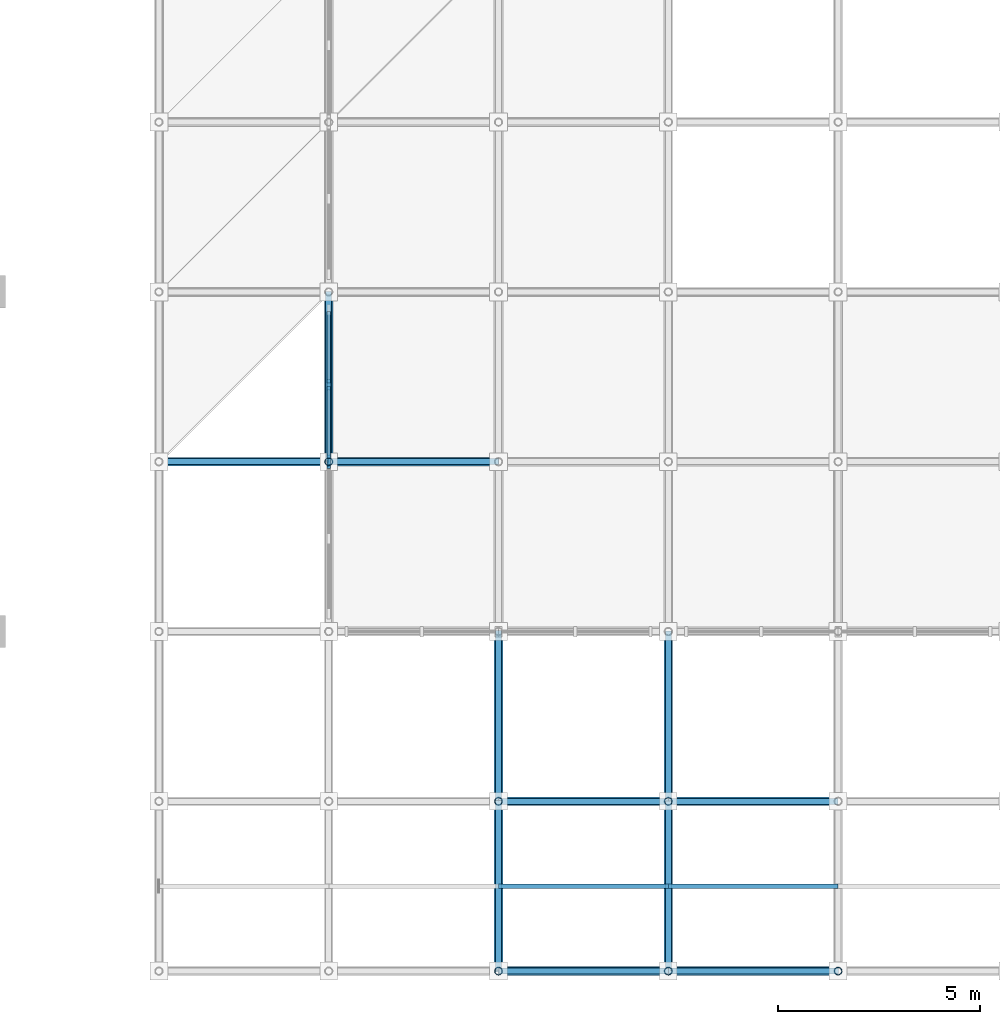
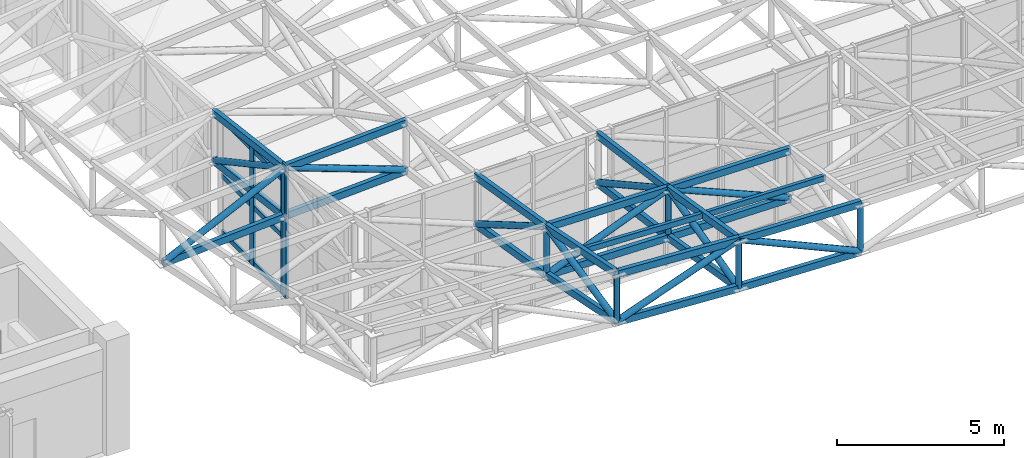
# One storey, part 14 of 132: 49 members, 2 elements without a shape of their own.
"""IFC4 building model written with IfcOpenShell, lengths in metres."""

from ifc_helpers import new_model, si_unit, direction, frame, origin, origin_2d, place, context, subcontext, project, spatial, rectangle, hollow_rectangle, hollow_circle, extrude, material, material_profile, profile_set, type_object, element, aggregate, save


model = new_model("IFC4")

# Units and contexts
model_context = context("Model", 3, precision=1e-05, world=origin(), true_north=direction((0.0, 1.0)))
body_context = subcontext(model_context, "Body", "Model", "MODEL_VIEW")
ifc_project = project(units=[si_unit("LENGTHUNIT", "METRE"), si_unit("AREAUNIT", "SQUARE_METRE"), si_unit("VOLUMEUNIT", "CUBIC_METRE"), si_unit("PLANEANGLEUNIT", "RADIAN"), si_unit("MASSUNIT", "GRAM", prefix="KILO")], contexts=[model_context])

# Site, building, storey
site_placement = place(None, origin())
site = spatial("IfcSite", under=ifc_project, at=site_placement, CompositionType="ELEMENT")
building_placement = place(site_placement, origin())
building = spatial("IfcBuilding", under=site, at=building_placement, Name="Cumbredor Promenade Congress Hotel", CompositionType="ELEMENT")
storey_placement = place(building_placement, frame((0.0, 0.0, 7.56005859375)))
storey = spatial("IfcBuildingStorey", under=building, at=storey_placement, Name="L02", CompositionType="ELEMENT", Elevation=7.56005859375)

# Curtain wall, member
ifc_material_1 = material(Name="Thermally broken anodized aluminium and low-E glass", Category="aluminium")
curtain_wall_type = type_object("IfcCurtainWallType", Name="Stepped Pavilion Clerestory Curtain Wall CW-06", PredefinedType="NOTDEFINED", material=ifc_material_1)
curtain_wall_1_placement = place(storey_placement, origin())
curtain_wall_1 = element("IfcCurtainWall", 1, at=curtain_wall_1_placement, inside=storey, type_object=curtain_wall_type, Name="Thermal Spa and Hydrotherapy Pavilion W Glazed Clerestory 1", PredefinedType="NOTDEFINED")
ifc_material_2 = material(Name="Thermally broken anodized aluminium", Category="aluminium")
ifc_material_profile_1 = material_profile(ifc_material_2, rectangle(XDim=0.0849609375, YDim=0.260009765625, at=origin_2d()), Name="ALU MULLION CLERESTORY 85x260")
ifc_profile_set_1 = profile_set([ifc_material_profile_1], Name="Thermally broken anodized aluminium")
member_type_1 = type_object("IfcMemberType", Name="Curtain Wall Mullion ML-04", PredefinedType="MULLION", material=ifc_profile_set_1)
member_1_placement = place(storey_placement, frame((75.60009765625, 12.56005859375, -0.01806640625), z_axis=(0.0, 0.0, 1.0), x_axis=(1.0, 0.0, 0.0)))
member_1 = element("IfcMember", 2, at=member_1_placement, type_object=member_type_1, Name="Thermal Spa and Hydrotherapy Pavilion W Glazed Clerestory 1 Mullion 3", PredefinedType="MULLION", context=body_context, shape_type="SweptSolid", body=[
    extrude(rectangle(XDim=0.0849609375, YDim=0.260009765625, at=origin_2d()), origin(), (0.0, 0.0, 1.0), 4.845947265625),
])
aggregate(curtain_wall_1, [member_1])

# Curtain wall, members
curtain_wall_2_placement = place(storey_placement, origin())
curtain_wall_2 = element("IfcCurtainWall", 3, at=curtain_wall_2_placement, inside=storey, type_object=curtain_wall_type, Name="Thermal Spa and Hydrotherapy Pavilion W Glazed Clerestory 2", PredefinedType="NOTDEFINED")
member_2_placement = place(storey_placement, frame((75.60009765625, 12.639892578125, -0.01806640625), z_axis=(0.0, 0.0, 1.0), x_axis=(1.0, 0.0, 0.0)))
member_2 = element("IfcMember", 4, at=member_2_placement, type_object=member_type_1, Name="Thermal Spa and Hydrotherapy Pavilion W Glazed Clerestory 2 Mullion 1", PredefinedType="MULLION", context=body_context, shape_type="SweptSolid", body=[
    extrude(rectangle(XDim=0.0849609375, YDim=0.260009765625, at=origin_2d()), origin(), (0.0, 0.0, 1.0), 4.318359375),
])
member_3_placement = place(storey_placement, frame((75.60009765625, 14.5, -0.01806640625), z_axis=(0.0, 0.0, 1.0), x_axis=(1.0, 0.0, 0.0)))
member_3 = element("IfcMember", 5, at=member_3_placement, type_object=member_type_1, Name="Thermal Spa and Hydrotherapy Pavilion W Glazed Clerestory 2 Mullion 2", PredefinedType="MULLION", context=body_context, shape_type="SweptSolid", body=[
    extrude(rectangle(XDim=0.0849609375, YDim=0.260009765625, at=origin_2d()), origin(), (0.0, 0.0, 1.0), 4.318359375),
])
ifc_material_profile_2 = material_profile(ifc_material_2, rectangle(XDim=0.080078125, YDim=0.179931640625, at=origin_2d()), Name="ALU TRANSOM 80x180")
ifc_profile_set_2 = profile_set([ifc_material_profile_2], Name="Thermally broken anodized aluminium")
member_type_2 = type_object("IfcMemberType", Name="Curtain Wall Transom TR-03", PredefinedType="USERDEFINED", material=ifc_profile_set_2)
member_4_placement = place(storey_placement, frame((75.60009765625, 12.6826171875, 0.079833984375), z_axis=(0.0, 1.0, 0.0), x_axis=(-1.0, 0.0, 0.0)))
member_4 = element("IfcMember", 6, at=member_4_placement, type_object=member_type_2, Name="Thermal Spa and Hydrotherapy Pavilion W Glazed Clerestory 2 Transom 1.1", ObjectType="TRANSOM", PredefinedType="USERDEFINED", context=body_context, shape_type="SweptSolid", body=[
    extrude(rectangle(XDim=0.080078125, YDim=0.179931640625, at=origin_2d()), origin(), (0.0, 0.0, 1.0), 1.77490234375),
])
member_5_placement = place(storey_placement, frame((75.60009765625, 12.6826171875, 2.139892578125), z_axis=(0.0, 1.0, 0.0), x_axis=(-1.0, 0.0, 0.0)))
member_5 = element("IfcMember", 7, at=member_5_placement, type_object=member_type_2, Name="Thermal Spa and Hydrotherapy Pavilion W Glazed Clerestory 2 Transom 1.2", ObjectType="TRANSOM", PredefinedType="USERDEFINED", context=body_context, shape_type="SweptSolid", body=[
    extrude(rectangle(XDim=0.080078125, YDim=0.179931640625, at=origin_2d()), origin(), (0.0, 0.0, 1.0), 1.77490234375),
])
member_6_placement = place(storey_placement, frame((75.60009765625, 12.6826171875, 4.199951171875), z_axis=(0.0, 1.0, 0.0), x_axis=(-1.0, 0.0, 0.0)))
member_6 = element("IfcMember", 8, at=member_6_placement, type_object=member_type_2, Name="Thermal Spa and Hydrotherapy Pavilion W Glazed Clerestory 2 Transom 1.3", ObjectType="TRANSOM", PredefinedType="USERDEFINED", context=body_context, shape_type="SweptSolid", body=[
    extrude(rectangle(XDim=0.080078125, YDim=0.179931640625, at=origin_2d()), origin(), (0.0, 0.0, 1.0), 1.77490234375),
])
member_7_placement = place(storey_placement, frame((75.60009765625, 14.54248046875, 0.079833984375), z_axis=(0.0, 1.0, 0.0), x_axis=(-1.0, 0.0, 0.0)))
member_7 = element("IfcMember", 9, at=member_7_placement, type_object=member_type_2, Name="Thermal Spa and Hydrotherapy Pavilion W Glazed Clerestory 2 Transom 2.1", ObjectType="TRANSOM", PredefinedType="USERDEFINED", context=body_context, shape_type="SweptSolid", body=[
    extrude(rectangle(XDim=0.080078125, YDim=0.179931640625, at=origin_2d()), origin(), (0.0, 0.0, 1.0), 1.77490234375),
])
member_8_placement = place(storey_placement, frame((75.60009765625, 14.54248046875, 2.139892578125), z_axis=(0.0, 1.0, 0.0), x_axis=(-1.0, 0.0, 0.0)))
member_8 = element("IfcMember", 10, at=member_8_placement, type_object=member_type_2, Name="Thermal Spa and Hydrotherapy Pavilion W Glazed Clerestory 2 Transom 2.2", ObjectType="TRANSOM", PredefinedType="USERDEFINED", context=body_context, shape_type="SweptSolid", body=[
    extrude(rectangle(XDim=0.080078125, YDim=0.179931640625, at=origin_2d()), origin(), (0.0, 0.0, 1.0), 1.77490234375),
])
member_9_placement = place(storey_placement, frame((75.60009765625, 14.54248046875, 4.199951171875), z_axis=(0.0, 1.0, 0.0), x_axis=(-1.0, 0.0, 0.0)))
member_9 = element("IfcMember", 11, at=member_9_placement, type_object=member_type_2, Name="Thermal Spa and Hydrotherapy Pavilion W Glazed Clerestory 2 Transom 2.3", ObjectType="TRANSOM", PredefinedType="USERDEFINED", context=body_context, shape_type="SweptSolid", body=[
    extrude(rectangle(XDim=0.080078125, YDim=0.179931640625, at=origin_2d()), origin(), (0.0, 0.0, 1.0), 1.77490234375),
])
aggregate(curtain_wall_2, [member_2, member_3, member_4, member_5, member_6, member_7, member_8, member_9])

# Members
ifc_material_3 = material(Name="Steel ASTM A500 Grade C", Category="steel")
ifc_material_profile_3 = material_profile(ifc_material_3, hollow_rectangle(XDim=0.1201171875, YDim=0.199951171875, WallThickness=0.010009765625, at=origin_2d()), Name="HSS 200x120x10")
ifc_profile_set_3 = profile_set([ifc_material_profile_3], Name="Steel ASTM A500 Grade C")
member_type_3 = type_object("IfcMemberType", Name="Roof Purlin HSS200x120", PredefinedType="PURLIN", material=ifc_profile_set_3)
member_10_placement = place(storey_placement, frame((79.800048828125, 2.10009765625, 6.545166015625), z_axis=(0.999267082996, 0.0, -0.038279195936), x_axis=(0.0, 1.0, 0.0)))
element("IfcMember", 12, at=member_10_placement, inside=storey, type_object=member_type_3, Name="Thermal Spa and Hydrotherapy Pavilion Roof Eave Purlin 3.1", PredefinedType="PURLIN", context=body_context, shape_type="SweptSolid", body=[
    extrude(hollow_rectangle(XDim=0.1201171875, YDim=0.199951171875, WallThickness=0.010009765625, at=origin_2d()), origin(), (0.0, 0.0, 1.0), 4.203125),
])
member_11_placement = place(storey_placement, frame((84.0, 2.10009765625, 6.38427734375), z_axis=(0.999735162521, 0.0, -0.023013144472), x_axis=(0.0, 1.0, 0.0)))
element("IfcMember", 13, at=member_11_placement, inside=storey, type_object=member_type_3, Name="Thermal Spa and Hydrotherapy Pavilion Roof Eave Purlin 4.1", PredefinedType="PURLIN", context=body_context, shape_type="SweptSolid", body=[
    extrude(hollow_rectangle(XDim=0.1201171875, YDim=0.199951171875, WallThickness=0.010009765625, at=origin_2d()), origin(), (0.0, 0.0, 1.0), 4.201171875),
])
ifc_material_profile_4 = material_profile(ifc_material_3, hollow_rectangle(XDim=0.14990234375, YDim=0.25, WallThickness=0.012451171875, at=origin_2d()), Name="HSS 250x150x12.5")
ifc_profile_set_4 = profile_set([ifc_material_profile_4], Name="Steel ASTM A500 Grade C")
member_type_4 = type_object("IfcMemberType", Name="Spa Roof Space Frame Chord", PredefinedType="CHORD", material=ifc_profile_set_4)
for number, where, z_axis, x_axis, name in (
    (14, (79.800048828125, 0.0, 6.98828125), (0.998397765356, 0.0, -0.056585352626), (0.0, 1.0, 0.0), "Thermal Spa and Hydrotherapy Pavilion X Top Chord 3.1"),
    (15, (79.800048828125, 0.0, 5.23828125), (0.998397765356, 0.0, -0.056585352626), (0.0, 1.0, 0.0), "Thermal Spa and Hydrotherapy Pavilion X Bottom Chord 3.1"),
):
    element("IfcMember", number, at=place(storey_placement, frame(where, z_axis=z_axis, x_axis=x_axis)), inside=storey, type_object=member_type_4, Name=name, PredefinedType="CHORD", context=body_context, shape_type="SweptSolid", body=[
        extrude(hollow_rectangle(XDim=0.14990234375, YDim=0.25, WallThickness=0.012451171875, at=origin_2d()), origin(), (0.0, 0.0, 1.0), 4.206787109375),
    ])
for number, where, z_axis, x_axis, name in (
    (16, (84.0, 0.0, 6.750244140625), (0.999422307276, 0.0, -0.033986051837), (0.0, 1.0, 0.0), "Thermal Spa and Hydrotherapy Pavilion X Top Chord 4.1"),
    (17, (84.0, 0.0, 5.000244140625), (0.999422307276, 0.0, -0.033986051837), (0.0, 1.0, 0.0), "Thermal Spa and Hydrotherapy Pavilion X Bottom Chord 4.1"),
):
    element("IfcMember", number, at=place(storey_placement, frame(where, z_axis=z_axis, x_axis=x_axis)), inside=storey, type_object=member_type_4, Name=name, PredefinedType="CHORD", context=body_context, shape_type="SweptSolid", body=[
        extrude(hollow_rectangle(XDim=0.14990234375, YDim=0.25, WallThickness=0.012451171875, at=origin_2d()), origin(), (0.0, 0.0, 1.0), 4.202392578125),
    ])
for number, where, z_axis, x_axis, name in (
    (18, (79.800048828125, 4.199951171875, 6.14208984375), (0.999801289689, 0.0, -0.019934420878), (0.0, 1.0, 0.0), "Thermal Spa and Hydrotherapy Pavilion X Top Chord 3.2"),
    (19, (79.800048828125, 4.199951171875, 4.39208984375), (0.999801289689, 0.0, -0.019934420878), (0.0, 1.0, 0.0), "Thermal Spa and Hydrotherapy Pavilion X Bottom Chord 3.2"),
):
    element("IfcMember", number, at=place(storey_placement, frame(where, z_axis=z_axis, x_axis=x_axis)), inside=storey, type_object=member_type_4, Name=name, PredefinedType="CHORD", context=body_context, shape_type="SweptSolid", body=[
        extrude(hollow_rectangle(XDim=0.14990234375, YDim=0.25, WallThickness=0.012451171875, at=origin_2d()), origin(), (0.0, 0.0, 1.0), 4.20068359375),
    ])
for number, where, z_axis, x_axis, name in (
    (20, (84.0, 4.199951171875, 6.058349609375), (0.999928311521, 0.0, -0.011973797138), (0.0, 1.0, 0.0), "Thermal Spa and Hydrotherapy Pavilion X Top Chord 4.2"),
    (21, (84.0, 4.199951171875, 4.308349609375), (0.999928311521, 0.0, -0.011973797138), (0.0, 1.0, 0.0), "Thermal Spa and Hydrotherapy Pavilion X Bottom Chord 4.2"),
):
    element("IfcMember", number, at=place(storey_placement, frame(where, z_axis=z_axis, x_axis=x_axis)), inside=storey, type_object=member_type_4, Name=name, PredefinedType="CHORD", context=body_context, shape_type="SweptSolid", body=[
        extrude(hollow_rectangle(XDim=0.14990234375, YDim=0.25, WallThickness=0.012451171875, at=origin_2d()), origin(), (0.0, 0.0, 1.0), 4.2001953125),
    ])
member_12_placement = place(storey_placement, frame((71.39990234375, 12.60009765625, 2.668701171875), z_axis=(0.998114386185, 0.0, 0.061381365995), x_axis=(0.0, 1.0, 0.0)))
element("IfcMember", 22, at=member_12_placement, inside=storey, type_object=member_type_4, Name="Thermal Spa and Hydrotherapy Pavilion X Bottom Chord 1.4", PredefinedType="CHORD", context=body_context, shape_type="SweptSolid", body=[
    extrude(hollow_rectangle(XDim=0.14990234375, YDim=0.25, WallThickness=0.012451171875, at=origin_2d()), origin(), (0.0, 0.0, 1.0), 4.208251953125),
])
for number, where, z_axis, x_axis, name in (
    (23, (75.60009765625, 12.60009765625, 4.677001953125), (0.99883532584, 0.0, 0.048249267905), (0.0, 1.0, 0.0), "Thermal Spa and Hydrotherapy Pavilion X Top Chord 2.4"),
    (24, (75.60009765625, 12.60009765625, 2.927001953125), (0.99883532584, 0.0, 0.048249267905), (0.0, 1.0, 0.0), "Thermal Spa and Hydrotherapy Pavilion X Bottom Chord 2.4"),
):
    element("IfcMember", number, at=place(storey_placement, frame(where, z_axis=z_axis, x_axis=x_axis)), inside=storey, type_object=member_type_4, Name=name, PredefinedType="CHORD", context=body_context, shape_type="SweptSolid", body=[
        extrude(hollow_rectangle(XDim=0.14990234375, YDim=0.25, WallThickness=0.012451171875, at=origin_2d()), origin(), (0.0, 0.0, 1.0), 4.204833984375),
    ])
for number, where, z_axis, x_axis, name in (
    (25, (75.60009765625, 12.60009765625, 4.677001953125), (0.0, 0.992202270646, -0.124638092592), (-1.0, 0.0, 0.0), "Thermal Spa and Hydrotherapy Pavilion Y Top Chord 2.4"),
    (26, (75.60009765625, 12.60009765625, 2.927001953125), (0.0, 0.992202270646, -0.124638092592), (-1.0, 0.0, 0.0), "Thermal Spa and Hydrotherapy Pavilion Y Bottom Chord 2.4"),
):
    element("IfcMember", number, at=place(storey_placement, frame(where, z_axis=z_axis, x_axis=x_axis)), inside=storey, type_object=member_type_4, Name=name, PredefinedType="CHORD", context=body_context, shape_type="SweptSolid", body=[
        extrude(hollow_rectangle(XDim=0.14990234375, YDim=0.25, WallThickness=0.012451171875, at=origin_2d()), origin(), (0.0, 0.0, 1.0), 4.23291015625),
    ])
for number, where, z_axis, x_axis, name in (
    (27, (79.800048828125, 0.0, 6.98828125), (0.0, 0.980301341541, -0.197507670161), (-1.0, 0.0, 0.0), "Thermal Spa and Hydrotherapy Pavilion Y Top Chord 3.1"),
    (28, (79.800048828125, 0.0, 5.23828125), (0.0, 0.980301341541, -0.197507670161), (-1.0, 0.0, 0.0), "Thermal Spa and Hydrotherapy Pavilion Y Bottom Chord 3.1"),
):
    element("IfcMember", number, at=place(storey_placement, frame(where, z_axis=z_axis, x_axis=x_axis)), inside=storey, type_object=member_type_4, Name=name, PredefinedType="CHORD", context=body_context, shape_type="SweptSolid", body=[
        extrude(hollow_rectangle(XDim=0.14990234375, YDim=0.25, WallThickness=0.012451171875, at=origin_2d()), origin(), (0.0, 0.0, 1.0), 4.284423828125),
    ])
for number, where, z_axis, x_axis, name in (
    (29, (79.800048828125, 4.199951171875, 6.14208984375), (0.0, 0.986348948056, -0.164668614708), (-1.0, 0.0, 0.0), "Thermal Spa and Hydrotherapy Pavilion Y Top Chord 3.2"),
    (30, (79.800048828125, 4.199951171875, 4.39208984375), (0.0, 0.986348948056, -0.164668614708), (-1.0, 0.0, 0.0), "Thermal Spa and Hydrotherapy Pavilion Y Bottom Chord 3.2"),
):
    element("IfcMember", number, at=place(storey_placement, frame(where, z_axis=z_axis, x_axis=x_axis)), inside=storey, type_object=member_type_4, Name=name, PredefinedType="CHORD", context=body_context, shape_type="SweptSolid", body=[
        extrude(hollow_rectangle(XDim=0.14990234375, YDim=0.25, WallThickness=0.012451171875, at=origin_2d()), origin(), (0.0, 0.0, 1.0), 4.258056640625),
    ])
for number, where, z_axis, x_axis, name in (
    (31, (84.0, 0.0, 6.750244140625), (0.0, 0.98670067124, -0.162547794123), (-1.0, 0.0, 0.0), "Thermal Spa and Hydrotherapy Pavilion Y Top Chord 4.1"),
    (32, (84.0, 0.0, 5.000244140625), (0.0, 0.98670067124, -0.162547794123), (-1.0, 0.0, 0.0), "Thermal Spa and Hydrotherapy Pavilion Y Bottom Chord 4.1"),
):
    element("IfcMember", number, at=place(storey_placement, frame(where, z_axis=z_axis, x_axis=x_axis)), inside=storey, type_object=member_type_4, Name=name, PredefinedType="CHORD", context=body_context, shape_type="SweptSolid", body=[
        extrude(hollow_rectangle(XDim=0.14990234375, YDim=0.25, WallThickness=0.012451171875, at=origin_2d()), origin(), (0.0, 0.0, 1.0), 4.256591796875),
    ])
for number, where, z_axis, x_axis, name in (
    (33, (84.0, 4.199951171875, 6.058349609375), (0.0, 0.99078279409, -0.135460159955), (-1.0, 0.0, 0.0), "Thermal Spa and Hydrotherapy Pavilion Y Top Chord 4.2"),
    (34, (84.0, 4.199951171875, 4.308349609375), (0.0, 0.99078279409, -0.135460159955), (-1.0, 0.0, 0.0), "Thermal Spa and Hydrotherapy Pavilion Y Bottom Chord 4.2"),
):
    element("IfcMember", number, at=place(storey_placement, frame(where, z_axis=z_axis, x_axis=x_axis)), inside=storey, type_object=member_type_4, Name=name, PredefinedType="CHORD", context=body_context, shape_type="SweptSolid", body=[
        extrude(hollow_rectangle(XDim=0.14990234375, YDim=0.25, WallThickness=0.012451171875, at=origin_2d()), origin(), (0.0, 0.0, 1.0), 4.239013671875),
    ])
ifc_material_profile_5 = material_profile(ifc_material_3, hollow_circle(Radius=0.109619140625, WallThickness=0.012451171875, at=origin_2d()), Name="CHS 219.1x12.5")
ifc_profile_set_5 = profile_set([ifc_material_profile_5], Name="Steel ASTM A500 Grade C")
member_type_5 = type_object("IfcMemberType", Name="Space Frame Web Diagonal D1", PredefinedType="BRACE", material=ifc_profile_set_5)
member_13_placement = place(storey_placement, frame((79.800048828125, 0.0, 5.23828125), z_axis=(0.940888806307, 0.0, 0.338715594807), x_axis=(0.0, 1.0, 0.0)))
element("IfcMember", 35, at=member_13_placement, inside=storey, type_object=member_type_5, Name="Thermal Spa and Hydrotherapy Pavilion X Web Diagonal 3.1", PredefinedType="BRACE", context=body_context, shape_type="SweptSolid", body=[
    extrude(hollow_circle(Radius=0.109619140625, WallThickness=0.012451171875, at=origin_2d()), origin(), (0.0, 0.0, 1.0), 4.4638671875),
])
member_14_placement = place(storey_placement, frame((84.0, 0.0, 6.750244140625), z_axis=(0.911690315674, 0.0, -0.41087804554), x_axis=(0.0, 1.0, 0.0)))
element("IfcMember", 36, at=member_14_placement, inside=storey, type_object=member_type_5, Name="Thermal Spa and Hydrotherapy Pavilion X Web Diagonal 4.1", PredefinedType="BRACE", context=body_context, shape_type="SweptSolid", body=[
    extrude(hollow_circle(Radius=0.109619140625, WallThickness=0.012451171875, at=origin_2d()), origin(), (0.0, 0.0, 1.0), 4.606689453125),
])
member_15_placement = place(storey_placement, frame((79.800048828125, 4.199951171875, 4.39208984375), z_axis=(0.929520112027, 0.0, 0.36877142153), x_axis=(0.0, 1.0, 0.0)))
element("IfcMember", 37, at=member_15_placement, inside=storey, type_object=member_type_5, Name="Thermal Spa and Hydrotherapy Pavilion X Web Diagonal 3.2", PredefinedType="BRACE", context=body_context, shape_type="SweptSolid", body=[
    extrude(hollow_circle(Radius=0.109619140625, WallThickness=0.012451171875, at=origin_2d()), origin(), (0.0, 0.0, 1.0), 4.518310546875),
])
member_16_placement = place(storey_placement, frame((84.0, 4.199951171875, 6.058349609375), z_axis=(0.919120156578, 0.0, -0.393977331547), x_axis=(0.0, 1.0, 0.0)))
element("IfcMember", 38, at=member_16_placement, inside=storey, type_object=member_type_5, Name="Thermal Spa and Hydrotherapy Pavilion X Web Diagonal 4.2", PredefinedType="BRACE", context=body_context, shape_type="SweptSolid", body=[
    extrude(hollow_circle(Radius=0.109619140625, WallThickness=0.012451171875, at=origin_2d()), origin(), (0.0, 0.0, 1.0), 4.569580078125),
])
member_17_placement = place(storey_placement, frame((71.39990234375, 12.60009765625, 2.668701171875), z_axis=(0.902175039998, 0.0, 0.431370139446), x_axis=(0.0, 1.0, 0.0)))
element("IfcMember", 39, at=member_17_placement, inside=storey, type_object=member_type_5, Name="Thermal Spa and Hydrotherapy Pavilion X Web Diagonal 1.4", PredefinedType="BRACE", context=body_context, shape_type="SweptSolid", body=[
    extrude(hollow_circle(Radius=0.109619140625, WallThickness=0.012451171875, at=origin_2d()), origin(), (0.0, 0.0, 1.0), 4.655517578125),
])
member_18_placement = place(storey_placement, frame((75.60009765625, 12.60009765625, 4.677001953125), z_axis=(0.938359878721, 0.0, -0.34565985883), x_axis=(0.0, 1.0, 0.0)))
element("IfcMember", 40, at=member_18_placement, inside=storey, type_object=member_type_5, Name="Thermal Spa and Hydrotherapy Pavilion X Web Diagonal 2.4", PredefinedType="BRACE", context=body_context, shape_type="SweptSolid", body=[
    extrude(hollow_circle(Radius=0.109619140625, WallThickness=0.012451171875, at=origin_2d()), origin(), (0.0, 0.0, 1.0), 4.475830078125),
])
member_19_placement = place(storey_placement, frame((75.60009765625, 12.60009765625, 4.677001953125), z_axis=(0.0, 0.879062706315, -0.476706155159), x_axis=(-1.0, 0.0, 0.0)))
element("IfcMember", 41, at=member_19_placement, inside=storey, type_object=member_type_5, Name="Thermal Spa and Hydrotherapy Pavilion Y Web Diagonal 2.4", PredefinedType="BRACE", context=body_context, shape_type="SweptSolid", body=[
    extrude(hollow_circle(Radius=0.109619140625, WallThickness=0.012451171875, at=origin_2d()), origin(), (0.0, 0.0, 1.0), 4.77783203125),
])
member_20_placement = place(storey_placement, frame((79.800048828125, 0.0, 5.23828125), z_axis=(0.0, 0.977619916417, 0.210378941497), x_axis=(-1.0, 0.0, 0.0)))
element("IfcMember", 42, at=member_20_placement, inside=storey, type_object=member_type_5, Name="Thermal Spa and Hydrotherapy Pavilion Y Web Diagonal 3.1", PredefinedType="BRACE", context=body_context, shape_type="SweptSolid", body=[
    extrude(hollow_circle(Radius=0.109619140625, WallThickness=0.012451171875, at=origin_2d()), origin(), (0.0, 0.0, 1.0), 4.296142578125),
])
member_21_placement = place(storey_placement, frame((79.800048828125, 4.199951171875, 6.14208984375), z_axis=(0.0, 0.86367144841, -0.504055184679), x_axis=(-1.0, 0.0, 0.0)))
element("IfcMember", 43, at=member_21_placement, inside=storey, type_object=member_type_5, Name="Thermal Spa and Hydrotherapy Pavilion Y Web Diagonal 3.2", PredefinedType="BRACE", context=body_context, shape_type="SweptSolid", body=[
    extrude(hollow_circle(Radius=0.109619140625, WallThickness=0.012451171875, at=origin_2d()), origin(), (0.0, 0.0, 1.0), 4.86279296875),
])
member_22_placement = place(storey_placement, frame((84.0, 0.0, 5.000244140625), z_axis=(0.0, 0.969699899183, 0.244299213106), x_axis=(-1.0, 0.0, 0.0)))
element("IfcMember", 44, at=member_22_placement, inside=storey, type_object=member_type_5, Name="Thermal Spa and Hydrotherapy Pavilion Y Web Diagonal 4.1", PredefinedType="BRACE", context=body_context, shape_type="SweptSolid", body=[
    extrude(hollow_circle(Radius=0.109619140625, WallThickness=0.012451171875, at=origin_2d()), origin(), (0.0, 0.0, 1.0), 4.331298828125),
])
member_23_placement = place(storey_placement, frame((84.0, 4.199951171875, 6.058349609375), z_axis=(0.0, 0.874959776995, -0.484195609893), x_axis=(-1.0, 0.0, 0.0)))
element("IfcMember", 45, at=member_23_placement, inside=storey, type_object=member_type_5, Name="Thermal Spa and Hydrotherapy Pavilion Y Web Diagonal 4.2", PredefinedType="BRACE", context=body_context, shape_type="SweptSolid", body=[
    extrude(hollow_circle(Radius=0.109619140625, WallThickness=0.012451171875, at=origin_2d()), origin(), (0.0, 0.0, 1.0), 4.800048828125),
])
ifc_material_profile_6 = material_profile(ifc_material_3, hollow_circle(Radius=0.096923828125, WallThickness=0.010009765625, at=origin_2d()), Name="CHS 193.7x10")
ifc_profile_set_6 = profile_set([ifc_material_profile_6], Name="Steel ASTM A500 Grade C")
member_type_6 = type_object("IfcMemberType", Name="Space Frame Web Post P1", PredefinedType="BRACE", material=ifc_profile_set_6)
for number, where, z_axis, x_axis, name in (
    (46, (75.60009765625, 12.60009765625, 2.927001953125), (0.0, 0.0, 1.0), (1.0, 0.0, 0.0), "Thermal Spa and Hydrotherapy Pavilion Space Frame Web Post 2.4"),
    (47, (79.800048828125, 0.0, 5.23828125), (0.0, 0.0, 1.0), (1.0, 0.0, 0.0), "Thermal Spa and Hydrotherapy Pavilion Space Frame Web Post 3.1"),
    (48, (79.800048828125, 4.199951171875, 4.39208984375), (0.0, 0.0, 1.0), (1.0, 0.0, 0.0), "Thermal Spa and Hydrotherapy Pavilion Space Frame Web Post 3.2"),
    (49, (84.0, 0.0, 5.000244140625), (0.0, 0.0, 1.0), (1.0, 0.0, 0.0), "Thermal Spa and Hydrotherapy Pavilion Space Frame Web Post 4.1"),
    (50, (84.0, 4.199951171875, 4.308349609375), (0.0, 0.0, 1.0), (1.0, 0.0, 0.0), "Thermal Spa and Hydrotherapy Pavilion Space Frame Web Post 4.2"),
    (51, (88.199951171875, 0.0, 4.857421875), (0.0, 0.0, 1.0), (1.0, 0.0, 0.0), "Thermal Spa and Hydrotherapy Pavilion Space Frame Web Post 5.1"),
):
    element("IfcMember", number, at=place(storey_placement, frame(where, z_axis=z_axis, x_axis=x_axis)), inside=storey, type_object=member_type_6, Name=name, PredefinedType="BRACE", context=body_context, shape_type="SweptSolid", body=[
        extrude(hollow_circle(Radius=0.096923828125, WallThickness=0.010009765625, at=origin_2d()), origin(), (0.0, 0.0, 1.0), 1.75),
    ])

save(model, "model.ifc")
